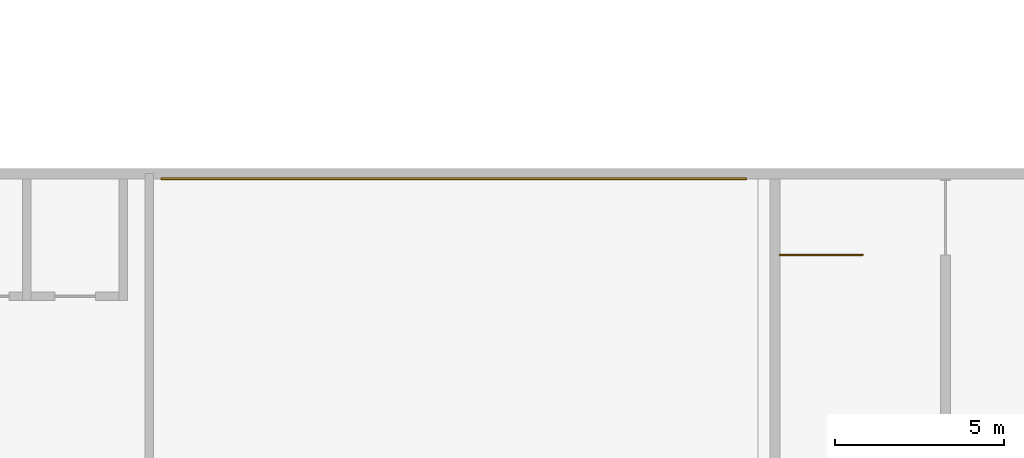
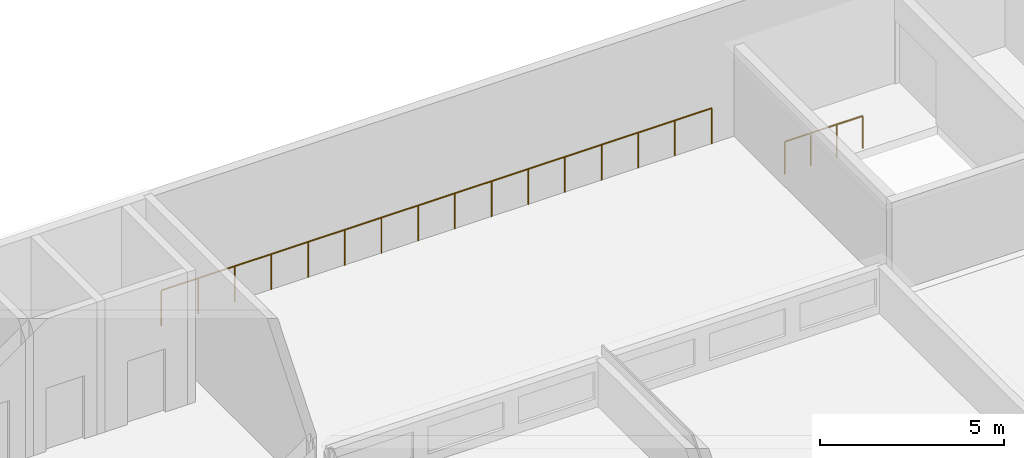
# One storey, part 21 of 21: 2 railings.
"""IFC4 building model written with IfcOpenShell, lengths in metres."""

from ifc_helpers import new_model, si_unit, direction, frame, origin, origin_2d, place, context, subcontext, project, spatial, circle, extrude, material, type_object, element, save


model = new_model("IFC4")

# Units and contexts
model_context = context("Model", 3, precision=1e-05, world=origin(), true_north=direction((0.0, 1.0)))
body_context = subcontext(model_context, "Body", "Model", "MODEL_VIEW")
ifc_project = project(units=[si_unit("LENGTHUNIT", "METRE"), si_unit("AREAUNIT", "SQUARE_METRE"), si_unit("VOLUMEUNIT", "CUBIC_METRE"), si_unit("PLANEANGLEUNIT", "RADIAN"), si_unit("MASSUNIT", "GRAM", prefix="KILO")], contexts=[model_context])

# Site, building, storey
site_placement = place(None, origin())
site = spatial("IfcSite", under=ifc_project, at=site_placement, CompositionType="ELEMENT")
building_placement = place(site_placement, origin())
building = spatial("IfcBuilding", under=site, at=building_placement, Name="Dhurran Vertical Campus", CompositionType="ELEMENT")
storey_placement = place(building_placement, frame((0.0, 0.0, 20.39990234375)))
storey = spatial("IfcBuildingStorey", under=building, at=storey_placement, Name="L04", CompositionType="ELEMENT", Elevation=20.39990234375)

# Railings
ifc_material_1 = material(Name="Steel S355J2H", Category="steel")
railing_type_1 = type_object("IfcRailingType", Name="hl-roof guard 1200", PredefinedType="GUARDRAIL", material=ifc_material_1)
railing_1_placement = place(storey_placement, frame((97.85009765625, 26.85009765625, 0.0)))
element("IfcRailing", 1, at=railing_1_placement, inside=storey, type_object=railing_type_1, Name="Hall roof guard 02", PredefinedType="GUARDRAIL", context=body_context, shape_type="SweptSolid", body=[
    extrude(circle(Radius=0.02392578125, at=origin_2d()), frame((0.0, 0.0, 1.17578125), z_axis=(1.0, 0.0, 0.0), x_axis=(0.0, 1.0, 0.0)), (0.0, 0.0, 1.0), 17.2998046875),
    extrude(circle(Radius=0.02099609375, at=origin_2d()), origin(), (0.0, 0.0, 1.0), 1.15185546875),
    extrude(circle(Radius=0.02099609375, at=origin_2d()), frame((1.1533203125, 0.0, 0.0)), (0.0, 0.0, 1.0), 1.15185546875),
    extrude(circle(Radius=0.02099609375, at=origin_2d()), frame((2.306640625, 0.0, 0.0)), (0.0, 0.0, 1.0), 1.15185546875),
    extrude(circle(Radius=0.02099609375, at=origin_2d()), frame((3.4599609375, 0.0, 0.0)), (0.0, 0.0, 1.0), 1.15185546875),
    extrude(circle(Radius=0.02099609375, at=origin_2d()), frame((4.61328125, 0.0, 0.0)), (0.0, 0.0, 1.0), 1.15185546875),
    extrude(circle(Radius=0.02099609375, at=origin_2d()), frame((5.7666015625, 0.0, 0.0)), (0.0, 0.0, 1.0), 1.15185546875),
    extrude(circle(Radius=0.02099609375, at=origin_2d()), frame((6.919921875, 0.0, 0.0)), (0.0, 0.0, 1.0), 1.15185546875),
    extrude(circle(Radius=0.02099609375, at=origin_2d()), frame((8.0732421875, 0.0, 0.0)), (0.0, 0.0, 1.0), 1.15185546875),
    extrude(circle(Radius=0.02099609375, at=origin_2d()), frame((9.2265625, 0.0, 0.0)), (0.0, 0.0, 1.0), 1.15185546875),
    extrude(circle(Radius=0.02099609375, at=origin_2d()), frame((10.3798828125, 0.0, 0.0)), (0.0, 0.0, 1.0), 1.15185546875),
    extrude(circle(Radius=0.02099609375, at=origin_2d()), frame((11.533203125, 0.0, 0.0)), (0.0, 0.0, 1.0), 1.15185546875),
    extrude(circle(Radius=0.02099609375, at=origin_2d()), frame((12.6865234375, 0.0, 0.0)), (0.0, 0.0, 1.0), 1.15185546875),
    extrude(circle(Radius=0.02099609375, at=origin_2d()), frame((13.83984375, 0.0, 0.0)), (0.0, 0.0, 1.0), 1.15185546875),
    extrude(circle(Radius=0.02099609375, at=origin_2d()), frame((14.9931640625, 0.0, 0.0)), (0.0, 0.0, 1.0), 1.15185546875),
    extrude(circle(Radius=0.02099609375, at=origin_2d()), frame((16.146484375, 0.0, 0.0)), (0.0, 0.0, 1.0), 1.15185546875),
    extrude(circle(Radius=0.02099609375, at=origin_2d()), frame((17.2998046875, 0.0, 0.0)), (0.0, 0.0, 1.0), 1.15185546875),
])
ifc_material_2 = material(Name="Steel S355J2H", Category="steel")
railing_type_2 = type_object("IfcRailingType", Name="hl-stair guard 1100", PredefinedType="GUARDRAIL", material=ifc_material_2)
railing_2_placement = place(storey_placement, frame((116.14990234375, 24.60009765625, 0.0)))
element("IfcRailing", 2, at=railing_2_placement, inside=storey, type_object=railing_type_2, Name="L04 HST2 top well guard 1", PredefinedType="GUARDRAIL", context=body_context, shape_type="SweptSolid", body=[
    extrude(circle(Radius=0.02392578125, at=origin_2d()), frame((0.0, 0.0, 1.076171875), z_axis=(1.0, 0.0, 0.0), x_axis=(0.0, 1.0, 0.0)), (0.0, 0.0, 1.0), 2.4501953125),
    extrude(circle(Radius=0.02099609375, at=origin_2d()), origin(), (0.0, 0.0, 1.0), 1.052001953125),
    extrude(circle(Radius=0.02099609375, at=origin_2d()), frame((0.816650390625, 0.0, 0.0)), (0.0, 0.0, 1.0), 1.052001953125),
    extrude(circle(Radius=0.02099609375, at=origin_2d()), frame((1.633544921875, 0.0, 0.0)), (0.0, 0.0, 1.0), 1.052001953125),
    extrude(circle(Radius=0.02099609375, at=origin_2d()), frame((2.4501953125, 0.0, 0.0)), (0.0, 0.0, 1.0), 1.052001953125),
])

save(model, "model.ifc")
